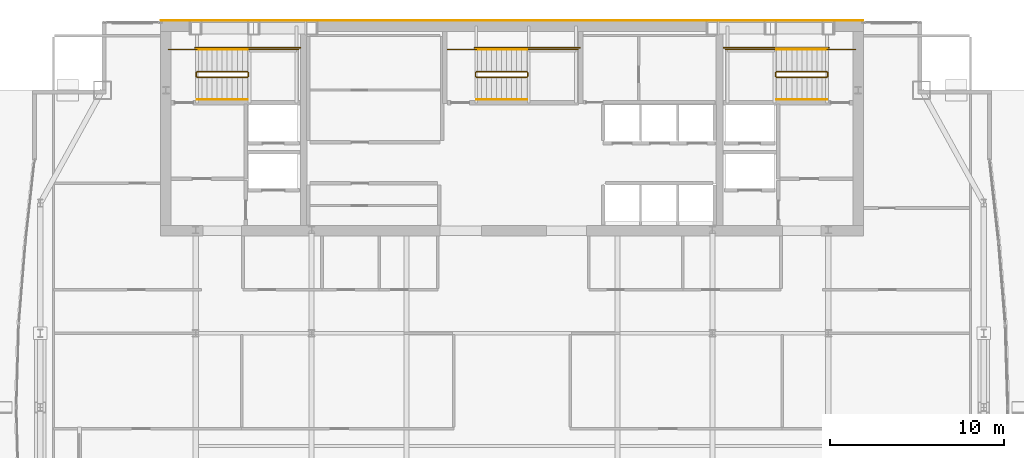
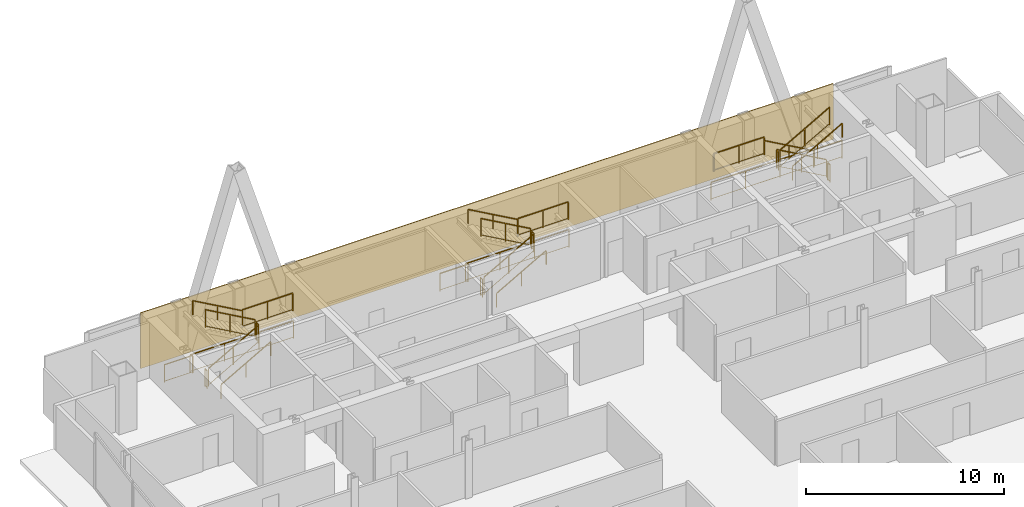
# One storey, part 30 of 30: 27 railings, 1 covering.
"""IFC4 building model written with IfcOpenShell, lengths in metres."""

from ifc_helpers import new_model, si_unit, direction, frame, origin, origin_2d, place, context, subcontext, project, spatial, polyline, rectangle, outline, extrude, material, layer, layer_set, type_object, element, save


model = new_model("IFC4")

# Units and contexts
model_context = context("Model", 3, precision=1e-05, world=origin(), true_north=direction((0.0, 1.0)))
body_context = subcontext(model_context, "Body", "Model", "MODEL_VIEW")
ifc_project = project(units=[si_unit("LENGTHUNIT", "METRE"), si_unit("AREAUNIT", "SQUARE_METRE"), si_unit("VOLUMEUNIT", "CUBIC_METRE"), si_unit("PLANEANGLEUNIT", "RADIAN"), si_unit("MASSUNIT", "GRAM", prefix="KILO")], contexts=[model_context])

# Site, building, storey
site_placement = place(None, origin())
site = spatial("IfcSite", under=ifc_project, at=site_placement, CompositionType="ELEMENT")
building_placement = place(site_placement, origin())
building = spatial("IfcBuilding", under=site, at=building_placement, Name="Khoronbel Lancet Exchange", CompositionType="ELEMENT")
storey_placement = place(building_placement, frame((0.0, 0.0, 239.0)))
storey = spatial("IfcBuildingStorey", under=building, at=storey_placement, Name="L61", CompositionType="ELEMENT", Elevation=239.0)

# Covering
ifc_material_1 = material(Name="Honed Egyptian Limestone & Bronze Rainscreen", Category="masonry")
ifc_layer = layer(ifc_material_1, 0.050048828125, Name="Honed Egyptian Limestone & Bronze Rainscreen")
ifc_layer_set = layer_set([ifc_layer], Name="Honed Egyptian Limestone & Bronze Rainscreen")
covering_type = type_object("IfcCoveringType", Name="COV-CLAD1", PredefinedType="CLADDING", material=ifc_layer_set)
covering_placement = place(storey_placement, origin())
element("IfcCovering", 1, at=covering_placement, inside=storey, type_object=covering_type, Name="Level L61 north rear-core stone and bronze rainscreen cladding", PredefinedType="CLADDING", context=body_context, shape_type="SweptSolid", body=[
    extrude(outline(polyline([(16.199951171875, 53.699951171875), (56.699951171875, 53.699951171875), (56.699951171875, 53.75), (16.199951171875, 53.75), (16.199951171875, 53.699951171875)])), origin(), (0.0, 0.0, 1.0), 3.43994140625),
])

# Railings
ifc_material_2 = material(Name="Painted Steel Balustrade", Category="steel")
railing_type_1 = type_object("IfcRailingType", Name="RL-STG110", PredefinedType="GUARDRAIL", material=ifc_material_2)
railing_1_placement = place(storey_placement, frame((18.300048828125, 50.449951171875, 0.16357421875)))
element("IfcRailing", 2, at=railing_1_placement, inside=storey, type_object=railing_type_1, Name="L61 ST1 stair guard 1", PredefinedType="GUARDRAIL", context=body_context, shape_type="SweptSolid", body=[
    extrude(rectangle(XDim=0.048095703125, YDim=0.048095703125, at=origin_2d()), frame((0.0, 0.0, 1.09619140625), z_axis=(0.870897200241, 0.0, 0.491465224214), x_axis=(0.0, 1.0, 0.0)), (0.0, 0.0, 1.0), 3.329833984375),
    extrude(rectangle(XDim=0.02392578125, YDim=0.02392578125, at=origin_2d()), frame((0.0, 0.0, 0.080078125), z_axis=(0.870897200241, 0.0, 0.491465224214), x_axis=(0.0, 1.0, 0.0)), (0.0, 0.0, 1.0), 3.329833984375),
    extrude(rectangle(XDim=0.0419921875, YDim=0.0419921875, at=origin_2d()), origin(), (0.0, 0.0, 1.0), 1.072021484375),
    extrude(rectangle(XDim=0.0419921875, YDim=0.0419921875, at=origin_2d()), frame((1.449951171875, 0.0, 0.818359375)), (0.0, 0.0, 1.0), 1.072021484375),
    extrude(rectangle(XDim=0.0419921875, YDim=0.0419921875, at=origin_2d()), frame((2.89990234375, 0.0, 1.636474609375)), (0.0, 0.0, 1.0), 1.072021484375),
])
railing_2_placement = place(storey_placement, frame((21.25, 50.5, 1.800048828125)))
element("IfcRailing", 3, at=railing_2_placement, inside=storey, type_object=railing_type_1, Name="L61 ST1 stair guard 2", PredefinedType="GUARDRAIL", context=body_context, shape_type="SweptSolid", body=[
    extrude(rectangle(XDim=0.048095703125, YDim=0.048095703125, at=origin_2d()), frame((0.0, 0.0, 1.09619140625), z_axis=(0.0, 1.0, 0.0), x_axis=(-1.0, 0.0, 0.0)), (0.0, 0.0, 1.0), 0.219970703125),
    extrude(rectangle(XDim=0.02392578125, YDim=0.02392578125, at=origin_2d()), frame((0.0, 0.0, 0.080078125), z_axis=(0.0, 1.0, 0.0), x_axis=(-1.0, 0.0, 0.0)), (0.0, 0.0, 1.0), 0.219970703125),
    extrude(rectangle(XDim=0.0419921875, YDim=0.0419921875, at=origin_2d()), origin(), (0.0, 0.0, 1.0), 1.072021484375),
    extrude(rectangle(XDim=0.0419921875, YDim=0.0419921875, at=origin_2d()), frame((0.0, 0.219970703125, 0.0)), (0.0, 0.0, 1.0), 1.072021484375),
])
railing_3_placement = place(storey_placement, frame((21.199951171875, 52.050048828125, 1.800048828125)))
element("IfcRailing", 4, at=railing_3_placement, inside=storey, type_object=railing_type_1, Name="L61 ST1 stair guard 3", PredefinedType="GUARDRAIL", context=body_context, shape_type="SweptSolid", body=[
    extrude(rectangle(XDim=0.048095703125, YDim=0.048095703125, at=origin_2d()), frame((0.0, 0.0, 1.09619140625), z_axis=(1.0, 0.0, 0.0), x_axis=(0.0, 1.0, 0.0)), (0.0, 0.0, 1.0), 2.949951171875),
    extrude(rectangle(XDim=0.02392578125, YDim=0.02392578125, at=origin_2d()), frame((0.0, 0.0, 0.080078125), z_axis=(1.0, 0.0, 0.0), x_axis=(0.0, 1.0, 0.0)), (0.0, 0.0, 1.0), 2.949951171875),
    extrude(rectangle(XDim=0.0419921875, YDim=0.0419921875, at=origin_2d()), origin(), (0.0, 0.0, 1.0), 1.072021484375),
    extrude(rectangle(XDim=0.0419921875, YDim=0.0419921875, at=origin_2d()), frame((1.47509765625, 0.0, 0.0)), (0.0, 0.0, 1.0), 1.072021484375),
    extrude(rectangle(XDim=0.0419921875, YDim=0.0419921875, at=origin_2d()), frame((2.949951171875, 0.0, 0.0)), (0.0, 0.0, 1.0), 1.072021484375),
])
railing_4_placement = place(storey_placement, frame((21.199951171875, 50.77001953125, 1.963623046875)))
element("IfcRailing", 5, at=railing_4_placement, inside=storey, type_object=railing_type_1, Name="L61 ST1 stair guard 4", PredefinedType="GUARDRAIL", context=body_context, shape_type="SweptSolid", body=[
    extrude(rectangle(XDim=0.048095703125, YDim=0.048095703125, at=origin_2d()), frame((0.0, 0.0, 1.09619140625), z_axis=(-0.870897200241, 0.0, 0.491465224214), x_axis=(0.0, -1.0, 0.0)), (0.0, 0.0, 1.0), 3.329833984375),
    extrude(rectangle(XDim=0.02392578125, YDim=0.02392578125, at=origin_2d()), frame((0.0, 0.0, 0.080078125), z_axis=(-0.870897200241, 0.0, 0.491465224214), x_axis=(0.0, -1.0, 0.0)), (0.0, 0.0, 1.0), 3.329833984375),
    extrude(rectangle(XDim=0.0419921875, YDim=0.0419921875, at=origin_2d()), origin(), (0.0, 0.0, 1.0), 1.072021484375),
    extrude(rectangle(XDim=0.0419921875, YDim=0.0419921875, at=origin_2d()), frame((-1.449951171875, 0.0, 0.818359375)), (0.0, 0.0, 1.0), 1.072021484375),
    extrude(rectangle(XDim=0.0419921875, YDim=0.0419921875, at=origin_2d()), frame((-2.89990234375, 0.0, 1.636474609375)), (0.0, 0.0, 1.0), 1.072021484375),
])
railing_5_placement = place(storey_placement, frame((18.25, 50.5, 0.0)))
element("IfcRailing", 6, at=railing_5_placement, inside=storey, type_object=railing_type_1, Name="L61 ST1 stair guard 5", PredefinedType="GUARDRAIL", context=body_context, shape_type="SweptSolid", body=[
    extrude(rectangle(XDim=0.048095703125, YDim=0.048095703125, at=origin_2d()), frame((0.0, 0.0, 1.09619140625), z_axis=(0.0, 1.0, 0.0), x_axis=(-1.0, 0.0, 0.0)), (0.0, 0.0, 1.0), 0.219970703125),
    extrude(rectangle(XDim=0.02392578125, YDim=0.02392578125, at=origin_2d()), frame((0.0, 0.0, 0.080078125), z_axis=(0.0, 1.0, 0.0), x_axis=(-1.0, 0.0, 0.0)), (0.0, 0.0, 1.0), 0.219970703125),
    extrude(rectangle(XDim=0.0419921875, YDim=0.0419921875, at=origin_2d()), origin(), (0.0, 0.0, 1.0), 1.072021484375),
    extrude(rectangle(XDim=0.0419921875, YDim=0.0419921875, at=origin_2d()), frame((0.0, 0.219970703125, 0.0)), (0.0, 0.0, 1.0), 1.072021484375),
])
railing_6_placement = place(storey_placement, frame((16.64990234375, 52.050048828125, 0.0)))
element("IfcRailing", 7, at=railing_6_placement, inside=storey, type_object=railing_type_1, Name="L61 ST1 stair guard 6", PredefinedType="GUARDRAIL", context=body_context, shape_type="SweptSolid", body=[
    extrude(rectangle(XDim=0.048095703125, YDim=0.048095703125, at=origin_2d()), frame((0.0, 0.0, 1.09619140625), z_axis=(1.0, 0.0, 0.0), x_axis=(0.0, 1.0, 0.0)), (0.0, 0.0, 1.0), 1.650146484375),
    extrude(rectangle(XDim=0.02392578125, YDim=0.02392578125, at=origin_2d()), frame((0.0, 0.0, 0.080078125), z_axis=(1.0, 0.0, 0.0), x_axis=(0.0, 1.0, 0.0)), (0.0, 0.0, 1.0), 1.650146484375),
    extrude(rectangle(XDim=0.0419921875, YDim=0.0419921875, at=origin_2d()), origin(), (0.0, 0.0, 1.0), 1.072021484375),
    extrude(rectangle(XDim=0.0419921875, YDim=0.0419921875, at=origin_2d()), frame((1.650146484375, 0.0, 0.0)), (0.0, 0.0, 1.0), 1.072021484375),
])
railing_7_placement = place(storey_placement, frame((18.199951171875, 52.14990234375, 0.0)))
element("IfcRailing", 8, at=railing_7_placement, inside=storey, type_object=railing_type_1, Name="L61 ST1 stair guard 7", PredefinedType="GUARDRAIL", context=body_context, shape_type="SweptSolid", body=[
    extrude(rectangle(XDim=0.048095703125, YDim=0.048095703125, at=origin_2d()), frame((0.0, 0.0, 1.09619140625), z_axis=(1.0, 0.0, 0.0), x_axis=(0.0, 1.0, 0.0)), (0.0, 0.0, 1.0), 6.050048828125),
    extrude(rectangle(XDim=0.02392578125, YDim=0.02392578125, at=origin_2d()), frame((0.0, 0.0, 0.080078125), z_axis=(1.0, 0.0, 0.0), x_axis=(0.0, 1.0, 0.0)), (0.0, 0.0, 1.0), 6.050048828125),
    extrude(rectangle(XDim=0.0419921875, YDim=0.0419921875, at=origin_2d()), origin(), (0.0, 0.0, 1.0), 1.072021484375),
    extrude(rectangle(XDim=0.0419921875, YDim=0.0419921875, at=origin_2d()), frame((2.0166015625, 0.0, 0.0)), (0.0, 0.0, 1.0), 1.072021484375),
    extrude(rectangle(XDim=0.0419921875, YDim=0.0419921875, at=origin_2d()), frame((4.033447265625, 0.0, 0.0)), (0.0, 0.0, 1.0), 1.072021484375),
    extrude(rectangle(XDim=0.0419921875, YDim=0.0419921875, at=origin_2d()), frame((6.050048828125, 0.0, 0.0)), (0.0, 0.0, 1.0), 1.072021484375),
])
railing_8_placement = place(storey_placement, frame((54.60009765625, 50.77001953125, 0.16357421875)))
element("IfcRailing", 9, at=railing_8_placement, inside=storey, type_object=railing_type_1, Name="L61 ST2 stair guard 1", PredefinedType="GUARDRAIL", context=body_context, shape_type="SweptSolid", body=[
    extrude(rectangle(XDim=0.048095703125, YDim=0.048095703125, at=origin_2d()), frame((0.0, 0.0, 1.09619140625), z_axis=(-0.870914908162, 0.0, 0.491433843708), x_axis=(0.0, -1.0, 0.0)), (0.0, 0.0, 1.0), 3.330078125),
    extrude(rectangle(XDim=0.02392578125, YDim=0.02392578125, at=origin_2d()), frame((0.0, 0.0, 0.080078125), z_axis=(-0.870914908162, 0.0, 0.491433843708), x_axis=(0.0, -1.0, 0.0)), (0.0, 0.0, 1.0), 3.330078125),
    extrude(rectangle(XDim=0.0419921875, YDim=0.0419921875, at=origin_2d()), origin(), (0.0, 0.0, 1.0), 1.072021484375),
    extrude(rectangle(XDim=0.0419921875, YDim=0.0419921875, at=origin_2d()), frame((-1.4501953125, 0.0, 0.818359375)), (0.0, 0.0, 1.0), 1.072021484375),
    extrude(rectangle(XDim=0.0419921875, YDim=0.0419921875, at=origin_2d()), frame((-2.900146484375, 0.0, 1.636474609375)), (0.0, 0.0, 1.0), 1.072021484375),
])
railing_9_placement = place(storey_placement, frame((51.64990234375, 50.719970703125, 1.800048828125)))
element("IfcRailing", 10, at=railing_9_placement, inside=storey, type_object=railing_type_1, Name="L61 ST2 stair guard 2", PredefinedType="GUARDRAIL", context=body_context, shape_type="SweptSolid", body=[
    extrude(rectangle(XDim=0.048095703125, YDim=0.048095703125, at=origin_2d()), frame((0.0, 0.0, 1.09619140625), z_axis=(0.0, -1.0, 0.0), x_axis=(1.0, 0.0, 0.0)), (0.0, 0.0, 1.0), 0.219970703125),
    extrude(rectangle(XDim=0.02392578125, YDim=0.02392578125, at=origin_2d()), frame((0.0, 0.0, 0.080078125), z_axis=(0.0, -1.0, 0.0), x_axis=(1.0, 0.0, 0.0)), (0.0, 0.0, 1.0), 0.219970703125),
    extrude(rectangle(XDim=0.0419921875, YDim=0.0419921875, at=origin_2d()), origin(), (0.0, 0.0, 1.0), 1.072021484375),
    extrude(rectangle(XDim=0.0419921875, YDim=0.0419921875, at=origin_2d()), frame((0.0, -0.219970703125, 0.0)), (0.0, 0.0, 1.0), 1.072021484375),
])
railing_10_placement = place(storey_placement, frame((51.699951171875, 52.050048828125, 1.800048828125)))
element("IfcRailing", 11, at=railing_10_placement, inside=storey, type_object=railing_type_1, Name="L61 ST2 stair guard 3", PredefinedType="GUARDRAIL", context=body_context, shape_type="SweptSolid", body=[
    extrude(rectangle(XDim=0.048095703125, YDim=0.048095703125, at=origin_2d()), frame((0.0, 0.0, 1.09619140625), z_axis=(-1.0, 0.0, 0.0), x_axis=(0.0, -1.0, 0.0)), (0.0, 0.0, 1.0), 2.949951171875),
    extrude(rectangle(XDim=0.02392578125, YDim=0.02392578125, at=origin_2d()), frame((0.0, 0.0, 0.080078125), z_axis=(-1.0, 0.0, 0.0), x_axis=(0.0, -1.0, 0.0)), (0.0, 0.0, 1.0), 2.949951171875),
    extrude(rectangle(XDim=0.0419921875, YDim=0.0419921875, at=origin_2d()), origin(), (0.0, 0.0, 1.0), 1.072021484375),
    extrude(rectangle(XDim=0.0419921875, YDim=0.0419921875, at=origin_2d()), frame((-1.47509765625, 0.0, 0.0)), (0.0, 0.0, 1.0), 1.072021484375),
    extrude(rectangle(XDim=0.0419921875, YDim=0.0419921875, at=origin_2d()), frame((-2.949951171875, 0.0, 0.0)), (0.0, 0.0, 1.0), 1.072021484375),
])
railing_11_placement = place(storey_placement, frame((51.699951171875, 50.449951171875, 1.963623046875)))
element("IfcRailing", 12, at=railing_11_placement, inside=storey, type_object=railing_type_1, Name="L61 ST2 stair guard 4", PredefinedType="GUARDRAIL", context=body_context, shape_type="SweptSolid", body=[
    extrude(rectangle(XDim=0.048095703125, YDim=0.048095703125, at=origin_2d()), frame((0.0, 0.0, 1.09619140625), z_axis=(0.870914908162, 0.0, 0.491433843708), x_axis=(0.0, 1.0, 0.0)), (0.0, 0.0, 1.0), 3.330078125),
    extrude(rectangle(XDim=0.02392578125, YDim=0.02392578125, at=origin_2d()), frame((0.0, 0.0, 0.080078125), z_axis=(0.870914908162, 0.0, 0.491433843708), x_axis=(0.0, 1.0, 0.0)), (0.0, 0.0, 1.0), 3.330078125),
    extrude(rectangle(XDim=0.0419921875, YDim=0.0419921875, at=origin_2d()), origin(), (0.0, 0.0, 1.0), 1.072021484375),
    extrude(rectangle(XDim=0.0419921875, YDim=0.0419921875, at=origin_2d()), frame((1.4501953125, 0.0, 0.818359375)), (0.0, 0.0, 1.0), 1.072021484375),
    extrude(rectangle(XDim=0.0419921875, YDim=0.0419921875, at=origin_2d()), frame((2.900146484375, 0.0, 1.636474609375)), (0.0, 0.0, 1.0), 1.072021484375),
])
railing_12_placement = place(storey_placement, frame((54.64990234375, 50.719970703125, 0.0)))
element("IfcRailing", 13, at=railing_12_placement, inside=storey, type_object=railing_type_1, Name="L61 ST2 stair guard 5", PredefinedType="GUARDRAIL", context=body_context, shape_type="SweptSolid", body=[
    extrude(rectangle(XDim=0.048095703125, YDim=0.048095703125, at=origin_2d()), frame((0.0, 0.0, 1.09619140625), z_axis=(0.0, -1.0, 0.0), x_axis=(1.0, 0.0, 0.0)), (0.0, 0.0, 1.0), 0.219970703125),
    extrude(rectangle(XDim=0.02392578125, YDim=0.02392578125, at=origin_2d()), frame((0.0, 0.0, 0.080078125), z_axis=(0.0, -1.0, 0.0), x_axis=(1.0, 0.0, 0.0)), (0.0, 0.0, 1.0), 0.219970703125),
    extrude(rectangle(XDim=0.0419921875, YDim=0.0419921875, at=origin_2d()), origin(), (0.0, 0.0, 1.0), 1.072021484375),
    extrude(rectangle(XDim=0.0419921875, YDim=0.0419921875, at=origin_2d()), frame((0.0, -0.219970703125, 0.0)), (0.0, 0.0, 1.0), 1.072021484375),
])
railing_13_placement = place(storey_placement, frame((56.25, 52.050048828125, 0.0)))
element("IfcRailing", 14, at=railing_13_placement, inside=storey, type_object=railing_type_1, Name="L61 ST2 stair guard 6", PredefinedType="GUARDRAIL", context=body_context, shape_type="SweptSolid", body=[
    extrude(rectangle(XDim=0.048095703125, YDim=0.048095703125, at=origin_2d()), frame((0.0, 0.0, 1.09619140625), z_axis=(-1.0, 0.0, 0.0), x_axis=(0.0, -1.0, 0.0)), (0.0, 0.0, 1.0), 1.64990234375),
    extrude(rectangle(XDim=0.02392578125, YDim=0.02392578125, at=origin_2d()), frame((0.0, 0.0, 0.080078125), z_axis=(-1.0, 0.0, 0.0), x_axis=(0.0, -1.0, 0.0)), (0.0, 0.0, 1.0), 1.64990234375),
    extrude(rectangle(XDim=0.0419921875, YDim=0.0419921875, at=origin_2d()), origin(), (0.0, 0.0, 1.0), 1.072021484375),
    extrude(rectangle(XDim=0.0419921875, YDim=0.0419921875, at=origin_2d()), frame((-1.64990234375, 0.0, 0.0)), (0.0, 0.0, 1.0), 1.072021484375),
])
railing_14_placement = place(storey_placement, frame((54.699951171875, 52.14990234375, 0.0)))
element("IfcRailing", 15, at=railing_14_placement, inside=storey, type_object=railing_type_1, Name="L61 ST2 stair guard 7", PredefinedType="GUARDRAIL", context=body_context, shape_type="SweptSolid", body=[
    extrude(rectangle(XDim=0.048095703125, YDim=0.048095703125, at=origin_2d()), frame((0.0, 0.0, 1.09619140625), z_axis=(-1.0, 0.0, 0.0), x_axis=(0.0, -1.0, 0.0)), (0.0, 0.0, 1.0), 6.050048828125),
    extrude(rectangle(XDim=0.02392578125, YDim=0.02392578125, at=origin_2d()), frame((0.0, 0.0, 0.080078125), z_axis=(-1.0, 0.0, 0.0), x_axis=(0.0, -1.0, 0.0)), (0.0, 0.0, 1.0), 6.050048828125),
    extrude(rectangle(XDim=0.0419921875, YDim=0.0419921875, at=origin_2d()), origin(), (0.0, 0.0, 1.0), 1.072021484375),
    extrude(rectangle(XDim=0.0419921875, YDim=0.0419921875, at=origin_2d()), frame((-2.0166015625, 0.0, 0.0)), (0.0, 0.0, 1.0), 1.072021484375),
    extrude(rectangle(XDim=0.0419921875, YDim=0.0419921875, at=origin_2d()), frame((-4.033447265625, 0.0, 0.0)), (0.0, 0.0, 1.0), 1.072021484375),
    extrude(rectangle(XDim=0.0419921875, YDim=0.0419921875, at=origin_2d()), frame((-6.050048828125, 0.0, 0.0)), (0.0, 0.0, 1.0), 1.072021484375),
])
railing_15_placement = place(storey_placement, frame((34.39990234375, 50.449951171875, 0.16357421875)))
element("IfcRailing", 16, at=railing_15_placement, inside=storey, type_object=railing_type_1, Name="L61 ST3 stair guard 1", PredefinedType="GUARDRAIL", context=body_context, shape_type="SweptSolid", body=[
    extrude(rectangle(XDim=0.048095703125, YDim=0.048095703125, at=origin_2d()), frame((0.0, 0.0, 1.09619140625), z_axis=(0.870914908162, 0.0, 0.491433843708), x_axis=(0.0, 1.0, 0.0)), (0.0, 0.0, 1.0), 3.330078125),
    extrude(rectangle(XDim=0.02392578125, YDim=0.02392578125, at=origin_2d()), frame((0.0, 0.0, 0.080078125), z_axis=(0.870914908162, 0.0, 0.491433843708), x_axis=(0.0, 1.0, 0.0)), (0.0, 0.0, 1.0), 3.330078125),
    extrude(rectangle(XDim=0.0419921875, YDim=0.0419921875, at=origin_2d()), origin(), (0.0, 0.0, 1.0), 1.072021484375),
    extrude(rectangle(XDim=0.0419921875, YDim=0.0419921875, at=origin_2d()), frame((1.4501953125, 0.0, 0.818359375)), (0.0, 0.0, 1.0), 1.072021484375),
    extrude(rectangle(XDim=0.0419921875, YDim=0.0419921875, at=origin_2d()), frame((2.900146484375, 0.0, 1.636474609375)), (0.0, 0.0, 1.0), 1.072021484375),
])
railing_16_placement = place(storey_placement, frame((37.35009765625, 50.5, 1.800048828125)))
element("IfcRailing", 17, at=railing_16_placement, inside=storey, type_object=railing_type_1, Name="L61 ST3 stair guard 2", PredefinedType="GUARDRAIL", context=body_context, shape_type="SweptSolid", body=[
    extrude(rectangle(XDim=0.048095703125, YDim=0.048095703125, at=origin_2d()), frame((0.0, 0.0, 1.09619140625), z_axis=(0.0, 1.0, 0.0), x_axis=(-1.0, 0.0, 0.0)), (0.0, 0.0, 1.0), 0.219970703125),
    extrude(rectangle(XDim=0.02392578125, YDim=0.02392578125, at=origin_2d()), frame((0.0, 0.0, 0.080078125), z_axis=(0.0, 1.0, 0.0), x_axis=(-1.0, 0.0, 0.0)), (0.0, 0.0, 1.0), 0.219970703125),
    extrude(rectangle(XDim=0.0419921875, YDim=0.0419921875, at=origin_2d()), origin(), (0.0, 0.0, 1.0), 1.072021484375),
    extrude(rectangle(XDim=0.0419921875, YDim=0.0419921875, at=origin_2d()), frame((0.0, 0.219970703125, 0.0)), (0.0, 0.0, 1.0), 1.072021484375),
])
railing_17_placement = place(storey_placement, frame((37.300048828125, 52.050048828125, 1.800048828125)))
element("IfcRailing", 18, at=railing_17_placement, inside=storey, type_object=railing_type_1, Name="L61 ST3 stair guard 3", PredefinedType="GUARDRAIL", context=body_context, shape_type="SweptSolid", body=[
    extrude(rectangle(XDim=0.048095703125, YDim=0.048095703125, at=origin_2d()), frame((0.0, 0.0, 1.09619140625), z_axis=(1.0, 0.0, 0.0), x_axis=(0.0, 1.0, 0.0)), (0.0, 0.0, 1.0), 2.949951171875),
    extrude(rectangle(XDim=0.02392578125, YDim=0.02392578125, at=origin_2d()), frame((0.0, 0.0, 0.080078125), z_axis=(1.0, 0.0, 0.0), x_axis=(0.0, 1.0, 0.0)), (0.0, 0.0, 1.0), 2.949951171875),
    extrude(rectangle(XDim=0.0419921875, YDim=0.0419921875, at=origin_2d()), origin(), (0.0, 0.0, 1.0), 1.072021484375),
    extrude(rectangle(XDim=0.0419921875, YDim=0.0419921875, at=origin_2d()), frame((1.47509765625, 0.0, 0.0)), (0.0, 0.0, 1.0), 1.072021484375),
    extrude(rectangle(XDim=0.0419921875, YDim=0.0419921875, at=origin_2d()), frame((2.949951171875, 0.0, 0.0)), (0.0, 0.0, 1.0), 1.072021484375),
])
railing_18_placement = place(storey_placement, frame((37.300048828125, 50.77001953125, 1.963623046875)))
element("IfcRailing", 19, at=railing_18_placement, inside=storey, type_object=railing_type_1, Name="L61 ST3 stair guard 4", PredefinedType="GUARDRAIL", context=body_context, shape_type="SweptSolid", body=[
    extrude(rectangle(XDim=0.048095703125, YDim=0.048095703125, at=origin_2d()), frame((0.0, 0.0, 1.09619140625), z_axis=(-0.870914908162, 0.0, 0.491433843708), x_axis=(0.0, -1.0, 0.0)), (0.0, 0.0, 1.0), 3.330078125),
    extrude(rectangle(XDim=0.02392578125, YDim=0.02392578125, at=origin_2d()), frame((0.0, 0.0, 0.080078125), z_axis=(-0.870914908162, 0.0, 0.491433843708), x_axis=(0.0, -1.0, 0.0)), (0.0, 0.0, 1.0), 3.330078125),
    extrude(rectangle(XDim=0.0419921875, YDim=0.0419921875, at=origin_2d()), origin(), (0.0, 0.0, 1.0), 1.072021484375),
    extrude(rectangle(XDim=0.0419921875, YDim=0.0419921875, at=origin_2d()), frame((-1.4501953125, 0.0, 0.818359375)), (0.0, 0.0, 1.0), 1.072021484375),
    extrude(rectangle(XDim=0.0419921875, YDim=0.0419921875, at=origin_2d()), frame((-2.900146484375, 0.0, 1.636474609375)), (0.0, 0.0, 1.0), 1.072021484375),
])
railing_19_placement = place(storey_placement, frame((34.35009765625, 50.5, 0.0)))
element("IfcRailing", 20, at=railing_19_placement, inside=storey, type_object=railing_type_1, Name="L61 ST3 stair guard 5", PredefinedType="GUARDRAIL", context=body_context, shape_type="SweptSolid", body=[
    extrude(rectangle(XDim=0.048095703125, YDim=0.048095703125, at=origin_2d()), frame((0.0, 0.0, 1.09619140625), z_axis=(0.0, 1.0, 0.0), x_axis=(-1.0, 0.0, 0.0)), (0.0, 0.0, 1.0), 0.219970703125),
    extrude(rectangle(XDim=0.02392578125, YDim=0.02392578125, at=origin_2d()), frame((0.0, 0.0, 0.080078125), z_axis=(0.0, 1.0, 0.0), x_axis=(-1.0, 0.0, 0.0)), (0.0, 0.0, 1.0), 0.219970703125),
    extrude(rectangle(XDim=0.0419921875, YDim=0.0419921875, at=origin_2d()), origin(), (0.0, 0.0, 1.0), 1.072021484375),
    extrude(rectangle(XDim=0.0419921875, YDim=0.0419921875, at=origin_2d()), frame((0.0, 0.219970703125, 0.0)), (0.0, 0.0, 1.0), 1.072021484375),
])
railing_20_placement = place(storey_placement, frame((32.75, 52.050048828125, 0.0)))
element("IfcRailing", 21, at=railing_20_placement, inside=storey, type_object=railing_type_1, Name="L61 ST3 stair guard 6", PredefinedType="GUARDRAIL", context=body_context, shape_type="SweptSolid", body=[
    extrude(rectangle(XDim=0.048095703125, YDim=0.048095703125, at=origin_2d()), frame((0.0, 0.0, 1.09619140625), z_axis=(1.0, 0.0, 0.0), x_axis=(0.0, 1.0, 0.0)), (0.0, 0.0, 1.0), 1.64990234375),
    extrude(rectangle(XDim=0.02392578125, YDim=0.02392578125, at=origin_2d()), frame((0.0, 0.0, 0.080078125), z_axis=(1.0, 0.0, 0.0), x_axis=(0.0, 1.0, 0.0)), (0.0, 0.0, 1.0), 1.64990234375),
    extrude(rectangle(XDim=0.0419921875, YDim=0.0419921875, at=origin_2d()), origin(), (0.0, 0.0, 1.0), 1.072021484375),
    extrude(rectangle(XDim=0.0419921875, YDim=0.0419921875, at=origin_2d()), frame((1.64990234375, 0.0, 0.0)), (0.0, 0.0, 1.0), 1.072021484375),
])
railing_21_placement = place(storey_placement, frame((34.300048828125, 52.14990234375, 0.0)))
element("IfcRailing", 22, at=railing_21_placement, inside=storey, type_object=railing_type_1, Name="L61 ST3 stair guard 7", PredefinedType="GUARDRAIL", context=body_context, shape_type="SweptSolid", body=[
    extrude(rectangle(XDim=0.048095703125, YDim=0.048095703125, at=origin_2d()), frame((0.0, 0.0, 1.09619140625), z_axis=(1.0, 0.0, 0.0), x_axis=(0.0, 1.0, 0.0)), (0.0, 0.0, 1.0), 6.050048828125),
    extrude(rectangle(XDim=0.02392578125, YDim=0.02392578125, at=origin_2d()), frame((0.0, 0.0, 0.080078125), z_axis=(1.0, 0.0, 0.0), x_axis=(0.0, 1.0, 0.0)), (0.0, 0.0, 1.0), 6.050048828125),
    extrude(rectangle(XDim=0.0419921875, YDim=0.0419921875, at=origin_2d()), origin(), (0.0, 0.0, 1.0), 1.072021484375),
    extrude(rectangle(XDim=0.0419921875, YDim=0.0419921875, at=origin_2d()), frame((2.0166015625, 0.0, 0.0)), (0.0, 0.0, 1.0), 1.072021484375),
    extrude(rectangle(XDim=0.0419921875, YDim=0.0419921875, at=origin_2d()), frame((4.033447265625, 0.0, 0.0)), (0.0, 0.0, 1.0), 1.072021484375),
    extrude(rectangle(XDim=0.0419921875, YDim=0.0419921875, at=origin_2d()), frame((6.050048828125, 0.0, 0.0)), (0.0, 0.0, 1.0), 1.072021484375),
])
ifc_material_3 = material(Name="Brushed Stainless Steel 316", Category="steel")
railing_type_2 = type_object("IfcRailingType", Name="RL-STH92", PredefinedType="HANDRAIL", material=ifc_material_3)
railing_22_placement = place(storey_placement, frame((18.300048828125, 49.169921875, 0.16357421875)))
element("IfcRailing", 23, at=railing_22_placement, inside=storey, type_object=railing_type_2, Name="L61 ST1 stair handrail 1", PredefinedType="HANDRAIL", context=body_context, shape_type="SweptSolid", body=[
    extrude(rectangle(XDim=0.048095703125, YDim=0.048095703125, at=origin_2d()), frame((0.0, 0.0, 0.8759765625), z_axis=(0.870897200241, 0.0, 0.491465224214), x_axis=(0.0, 1.0, 0.0)), (0.0, 0.0, 1.0), 3.329833984375),
    extrude(rectangle(XDim=0.0419921875, YDim=0.0419921875, at=origin_2d()), origin(), (0.0, 0.0, 1.0), 0.851806640625),
    extrude(rectangle(XDim=0.0419921875, YDim=0.0419921875, at=origin_2d()), frame((1.449951171875, 0.0, 0.818359375)), (0.0, 0.0, 1.0), 0.851806640625),
    extrude(rectangle(XDim=0.0419921875, YDim=0.0419921875, at=origin_2d()), frame((2.89990234375, 0.0, 1.636474609375)), (0.0, 0.0, 1.0), 0.851806640625),
])
railing_23_placement = place(storey_placement, frame((21.199951171875, 52.050048828125, 1.963623046875)))
element("IfcRailing", 24, at=railing_23_placement, inside=storey, type_object=railing_type_2, Name="L61 ST1 stair handrail 2", PredefinedType="HANDRAIL", context=body_context, shape_type="SweptSolid", body=[
    extrude(rectangle(XDim=0.048095703125, YDim=0.048095703125, at=origin_2d()), frame((0.0, 0.0, 0.8759765625), z_axis=(-0.870897200241, 0.0, 0.491465224214), x_axis=(0.0, -1.0, 0.0)), (0.0, 0.0, 1.0), 3.329833984375),
    extrude(rectangle(XDim=0.0419921875, YDim=0.0419921875, at=origin_2d()), origin(), (0.0, 0.0, 1.0), 0.851806640625),
    extrude(rectangle(XDim=0.0419921875, YDim=0.0419921875, at=origin_2d()), frame((-1.449951171875, 0.0, 0.818359375)), (0.0, 0.0, 1.0), 0.851806640625),
    extrude(rectangle(XDim=0.0419921875, YDim=0.0419921875, at=origin_2d()), frame((-2.89990234375, 0.0, 1.636474609375)), (0.0, 0.0, 1.0), 0.851806640625),
])
railing_24_placement = place(storey_placement, frame((54.60009765625, 52.050048828125, 0.16357421875)))
element("IfcRailing", 25, at=railing_24_placement, inside=storey, type_object=railing_type_2, Name="L61 ST2 stair handrail 1", PredefinedType="HANDRAIL", context=body_context, shape_type="SweptSolid", body=[
    extrude(rectangle(XDim=0.048095703125, YDim=0.048095703125, at=origin_2d()), frame((0.0, 0.0, 0.8759765625), z_axis=(-0.870914908162, 0.0, 0.491433843708), x_axis=(0.0, -1.0, 0.0)), (0.0, 0.0, 1.0), 3.330078125),
    extrude(rectangle(XDim=0.0419921875, YDim=0.0419921875, at=origin_2d()), origin(), (0.0, 0.0, 1.0), 0.851806640625),
    extrude(rectangle(XDim=0.0419921875, YDim=0.0419921875, at=origin_2d()), frame((-1.4501953125, 0.0, 0.818359375)), (0.0, 0.0, 1.0), 0.851806640625),
    extrude(rectangle(XDim=0.0419921875, YDim=0.0419921875, at=origin_2d()), frame((-2.900146484375, 0.0, 1.636474609375)), (0.0, 0.0, 1.0), 0.851806640625),
])
for number, where, name in (
    (26, (51.699951171875, 49.169921875, 1.963623046875), "L61 ST2 stair handrail 2"),
    (27, (34.39990234375, 49.169921875, 0.16357421875), "L61 ST3 stair handrail 1"),
):
    element("IfcRailing", number, at=place(storey_placement, frame(where)), inside=storey, type_object=railing_type_2, Name=name, PredefinedType="HANDRAIL", context=body_context, shape_type="SweptSolid", body=[
        extrude(rectangle(XDim=0.048095703125, YDim=0.048095703125, at=origin_2d()), frame((0.0, 0.0, 0.8759765625), z_axis=(0.870914908162, 0.0, 0.491433843708), x_axis=(0.0, 1.0, 0.0)), (0.0, 0.0, 1.0), 3.330078125),
        extrude(rectangle(XDim=0.0419921875, YDim=0.0419921875, at=origin_2d()), origin(), (0.0, 0.0, 1.0), 0.851806640625),
        extrude(rectangle(XDim=0.0419921875, YDim=0.0419921875, at=origin_2d()), frame((1.4501953125, 0.0, 0.818359375)), (0.0, 0.0, 1.0), 0.851806640625),
        extrude(rectangle(XDim=0.0419921875, YDim=0.0419921875, at=origin_2d()), frame((2.900146484375, 0.0, 1.636474609375)), (0.0, 0.0, 1.0), 0.851806640625),
    ])
railing_25_placement = place(storey_placement, frame((37.300048828125, 52.050048828125, 1.963623046875)))
element("IfcRailing", 28, at=railing_25_placement, inside=storey, type_object=railing_type_2, Name="L61 ST3 stair handrail 2", PredefinedType="HANDRAIL", context=body_context, shape_type="SweptSolid", body=[
    extrude(rectangle(XDim=0.048095703125, YDim=0.048095703125, at=origin_2d()), frame((0.0, 0.0, 0.8759765625), z_axis=(-0.870914908162, 0.0, 0.491433843708), x_axis=(0.0, -1.0, 0.0)), (0.0, 0.0, 1.0), 3.330078125),
    extrude(rectangle(XDim=0.0419921875, YDim=0.0419921875, at=origin_2d()), origin(), (0.0, 0.0, 1.0), 0.851806640625),
    extrude(rectangle(XDim=0.0419921875, YDim=0.0419921875, at=origin_2d()), frame((-1.4501953125, 0.0, 0.818359375)), (0.0, 0.0, 1.0), 0.851806640625),
    extrude(rectangle(XDim=0.0419921875, YDim=0.0419921875, at=origin_2d()), frame((-2.900146484375, 0.0, 1.636474609375)), (0.0, 0.0, 1.0), 0.851806640625),
])

save(model, "model.ifc")
